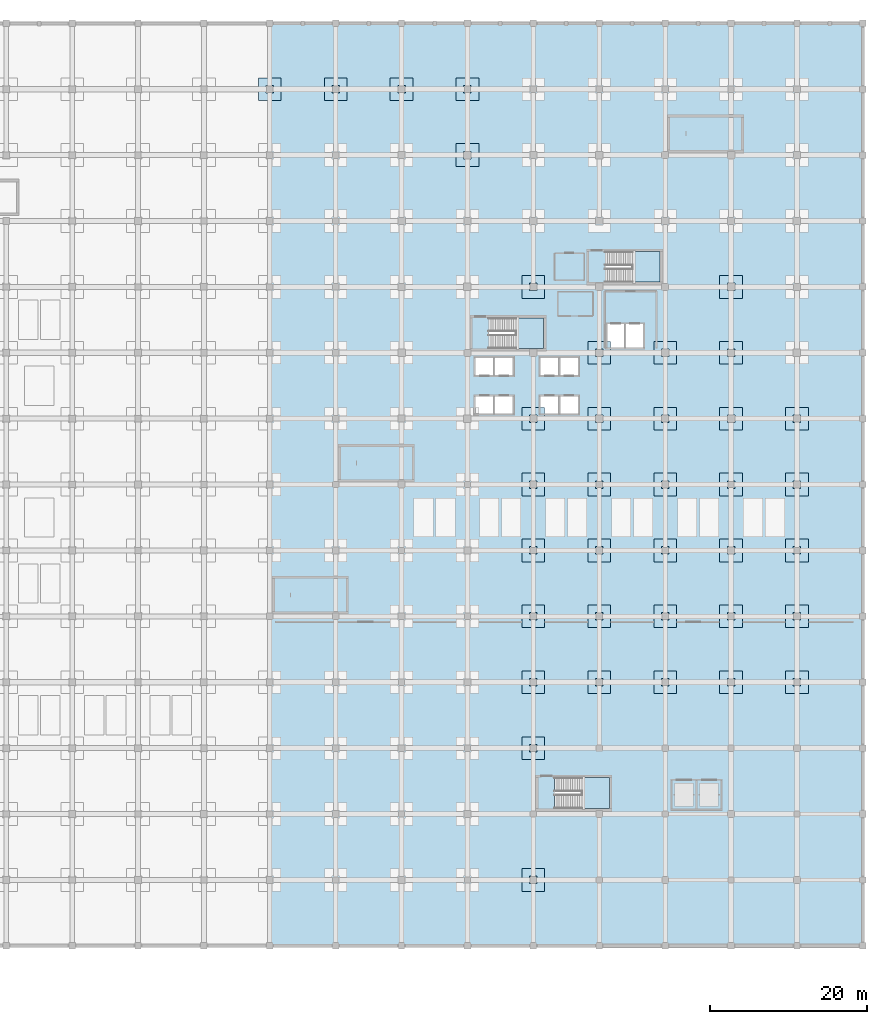
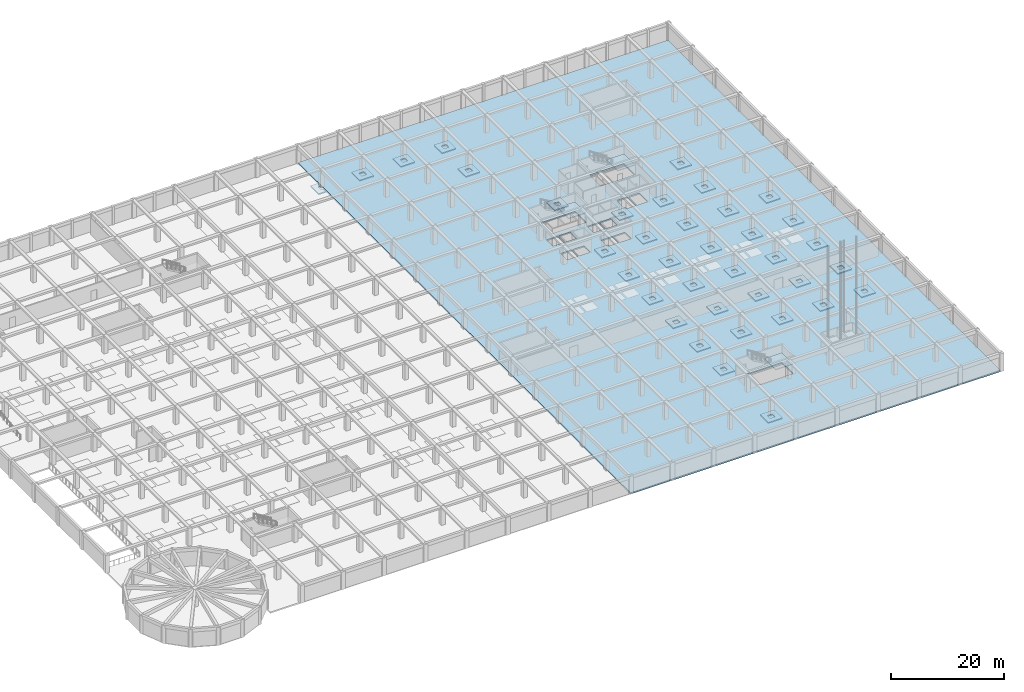
# One storey, part 13 of 32: 41 slabs, 3 elements without a shape of their own.
"""IFC4 building model written with IfcOpenShell, lengths in metres."""

from ifc_helpers import new_model, si_unit, direction, frame, origin, place, context, subcontext, project, spatial, polyline, outline, extrude, material, layer, layer_set, type_object, element, aggregate, save


model = new_model("IFC4")

# Units and contexts
model_context = context("Model", 3, precision=1e-05, world=origin(), true_north=direction((0.0, 1.0)))
body_context = subcontext(model_context, "Body", "Model", "MODEL_VIEW")
ifc_project = project(units=[si_unit("LENGTHUNIT", "METRE"), si_unit("AREAUNIT", "SQUARE_METRE"), si_unit("VOLUMEUNIT", "CUBIC_METRE"), si_unit("PLANEANGLEUNIT", "RADIAN"), si_unit("MASSUNIT", "GRAM", prefix="KILO")], contexts=[model_context])

# Site, building, storey
site_placement = place(None, origin())
site = spatial("IfcSite", under=ifc_project, at=site_placement, CompositionType="ELEMENT")
building_placement = place(site_placement, origin())
building = spatial("IfcBuilding", under=site, at=building_placement, Name="Almacenes y Pasaje Nevantli", CompositionType="ELEMENT")
storey_placement = place(building_placement, frame((0.0, 0.0, -4.199951171875)))
storey = spatial("IfcBuildingStorey", under=building, at=storey_placement, Name="B01", CompositionType="ELEMENT", Elevation=-4.199951171875)

# Slabs
ifc_material_1 = material(Name="Concrete C35/45", Category="concrete")
ifc_layer_1 = layer(ifc_material_1, 0.25)
ifc_layer_set_1 = layer_set([ifc_layer_1], Name="Concrete C35/45")
slab_type_1 = type_object("IfcSlabType", Name="SLB-DP-250", PredefinedType="USERDEFINED", material=ifc_layer_set_1)
slab_1_placement = place(storey_placement, frame((0.0, 0.0, -0.550048828125)))
element("IfcSlab", 1, at=slab_1_placement, inside=storey, type_object=slab_type_1, Name="B01 Punching-Shear Drop Panel DP-02 #117", ObjectType="DROP PANEL", PredefinedType="USERDEFINED", context=body_context, shape_type="SweptSolid", body=[
    extrude(outline(polyline([(90.949951171875, 107.75), (93.85009765625, 107.75), (93.85009765625, 110.64990234375), (90.949951171875, 110.64990234375), (90.949951171875, 107.75)]), holes=[polyline([(91.919921875, 108.719970703125), (92.8798828125, 108.719970703125), (92.8798828125, 109.679931640625), (91.919921875, 109.679931640625), (91.919921875, 108.719970703125)])]), origin(), (0.0, 0.0, 1.0), 0.25),
])
slab_2_placement = place(storey_placement, frame((0.0, 0.0, -0.550048828125)))
element("IfcSlab", 2, at=slab_2_placement, inside=storey, type_object=slab_type_1, Name="B01 Punching-Shear Drop Panel DP-02 #128", ObjectType="DROP PANEL", PredefinedType="USERDEFINED", context=body_context, shape_type="SweptSolid", body=[
    extrude(outline(polyline([(99.35009765625, 107.75), (102.25, 107.75), (102.25, 110.64990234375), (99.35009765625, 110.64990234375), (99.35009765625, 107.75)]), holes=[polyline([(100.320068359375, 108.719970703125), (101.280029296875, 108.719970703125), (101.280029296875, 109.679931640625), (100.320068359375, 109.679931640625), (100.320068359375, 108.719970703125)])]), origin(), (0.0, 0.0, 1.0), 0.25),
])
slab_3_placement = place(storey_placement, frame((0.0, 0.0, -0.550048828125)))
element("IfcSlab", 3, at=slab_3_placement, inside=storey, type_object=slab_type_1, Name="B01 Punching-Shear Drop Panel DP-02 #140", ObjectType="DROP PANEL", PredefinedType="USERDEFINED", context=body_context, shape_type="SweptSolid", body=[
    extrude(outline(polyline([(107.75, 107.75), (110.64990234375, 107.75), (110.64990234375, 110.64990234375), (107.75, 110.64990234375), (107.75, 107.75)]), holes=[polyline([(108.719970703125, 108.719970703125), (109.679931640625, 108.719970703125), (109.679931640625, 109.679931640625), (108.719970703125, 109.679931640625), (108.719970703125, 108.719970703125)])]), origin(), (0.0, 0.0, 1.0), 0.25),
])
slab_4_placement = place(storey_placement, frame((0.0, 0.0, -0.550048828125)))
element("IfcSlab", 4, at=slab_4_placement, inside=storey, type_object=slab_type_1, Name="B01 Punching-Shear Drop Panel DP-02 #151", ObjectType="DROP PANEL", PredefinedType="USERDEFINED", context=body_context, shape_type="SweptSolid", body=[
    extrude(outline(polyline([(116.14990234375, 99.35009765625), (119.050048828125, 99.35009765625), (119.050048828125, 102.25), (116.14990234375, 102.25), (116.14990234375, 99.35009765625)]), holes=[polyline([(117.1201171875, 100.320068359375), (118.080078125, 100.320068359375), (118.080078125, 101.280029296875), (117.1201171875, 101.280029296875), (117.1201171875, 100.320068359375)])]), origin(), (0.0, 0.0, 1.0), 0.25),
])
slab_5_placement = place(storey_placement, frame((0.0, 0.0, -0.550048828125)))
element("IfcSlab", 5, at=slab_5_placement, inside=storey, type_object=slab_type_1, Name="B01 Punching-Shear Drop Panel DP-02 #152", ObjectType="DROP PANEL", PredefinedType="USERDEFINED", context=body_context, shape_type="SweptSolid", body=[
    extrude(outline(polyline([(116.14990234375, 107.75), (119.050048828125, 107.75), (119.050048828125, 110.64990234375), (116.14990234375, 110.64990234375), (116.14990234375, 107.75)]), holes=[polyline([(117.1201171875, 108.719970703125), (118.080078125, 108.719970703125), (118.080078125, 109.679931640625), (117.1201171875, 109.679931640625), (117.1201171875, 108.719970703125)])]), origin(), (0.0, 0.0, 1.0), 0.25),
])
slab_6_placement = place(storey_placement, frame((0.0, 0.0, -0.550048828125)))
element("IfcSlab", 6, at=slab_6_placement, inside=storey, type_object=slab_type_1, Name="B01 Punching-Shear Drop Panel DP-02 #153", ObjectType="DROP PANEL", PredefinedType="USERDEFINED", context=body_context, shape_type="SweptSolid", body=[
    extrude(outline(polyline([(124.550048828125, 6.949951171875), (127.449951171875, 6.949951171875), (127.449951171875, 9.85009765625), (124.550048828125, 9.85009765625), (124.550048828125, 6.949951171875)]), holes=[polyline([(125.52001953125, 7.919921875), (126.47998046875, 7.919921875), (126.47998046875, 8.8798828125), (125.52001953125, 8.8798828125), (125.52001953125, 7.919921875)])]), origin(), (0.0, 0.0, 1.0), 0.25),
])
slab_7_placement = place(storey_placement, frame((0.0, 0.0, -0.550048828125)))
element("IfcSlab", 7, at=slab_7_placement, inside=storey, type_object=slab_type_1, Name="B01 Punching-Shear Drop Panel DP-02 #154", ObjectType="DROP PANEL", PredefinedType="USERDEFINED", context=body_context, shape_type="SweptSolid", body=[
    extrude(outline(polyline([(124.550048828125, 23.75), (127.449951171875, 23.75), (127.449951171875, 26.64990234375), (124.550048828125, 26.64990234375), (124.550048828125, 23.75)]), holes=[polyline([(125.52001953125, 24.719970703125), (126.47998046875, 24.719970703125), (126.47998046875, 25.679931640625), (125.52001953125, 25.679931640625), (125.52001953125, 24.719970703125)])]), origin(), (0.0, 0.0, 1.0), 0.25),
])
slab_8_placement = place(storey_placement, frame((0.0, 0.0, -0.550048828125)))
element("IfcSlab", 8, at=slab_8_placement, inside=storey, type_object=slab_type_1, Name="B01 Punching-Shear Drop Panel DP-02 #155", ObjectType="DROP PANEL", PredefinedType="USERDEFINED", context=body_context, shape_type="SweptSolid", body=[
    extrude(outline(polyline([(124.550048828125, 32.14990234375), (127.449951171875, 32.14990234375), (127.449951171875, 35.050048828125), (124.550048828125, 35.050048828125), (124.550048828125, 32.14990234375)]), holes=[polyline([(125.52001953125, 33.1201171875), (126.47998046875, 33.1201171875), (126.47998046875, 34.080078125), (125.52001953125, 34.080078125), (125.52001953125, 33.1201171875)])]), origin(), (0.0, 0.0, 1.0), 0.25),
])
slab_9_placement = place(storey_placement, frame((0.0, 0.0, -0.550048828125)))
element("IfcSlab", 9, at=slab_9_placement, inside=storey, type_object=slab_type_1, Name="B01 Punching-Shear Drop Panel DP-02 #156", ObjectType="DROP PANEL", PredefinedType="USERDEFINED", context=body_context, shape_type="SweptSolid", body=[
    extrude(outline(polyline([(124.550048828125, 40.550048828125), (127.449951171875, 40.550048828125), (127.449951171875, 43.449951171875), (124.550048828125, 43.449951171875), (124.550048828125, 40.550048828125)]), holes=[polyline([(125.52001953125, 41.52001953125), (126.47998046875, 41.52001953125), (126.47998046875, 42.47998046875), (125.52001953125, 42.47998046875), (125.52001953125, 41.52001953125)])]), origin(), (0.0, 0.0, 1.0), 0.25),
])
slab_10_placement = place(storey_placement, frame((0.0, 0.0, -0.550048828125)))
element("IfcSlab", 10, at=slab_10_placement, inside=storey, type_object=slab_type_1, Name="B01 Punching-Shear Drop Panel DP-02 #157", ObjectType="DROP PANEL", PredefinedType="USERDEFINED", context=body_context, shape_type="SweptSolid", body=[
    extrude(outline(polyline([(124.550048828125, 48.949951171875), (127.449951171875, 48.949951171875), (127.449951171875, 51.85009765625), (124.550048828125, 51.85009765625), (124.550048828125, 48.949951171875)]), holes=[polyline([(125.52001953125, 49.919921875), (126.47998046875, 49.919921875), (126.47998046875, 50.8798828125), (125.52001953125, 50.8798828125), (125.52001953125, 49.919921875)])]), origin(), (0.0, 0.0, 1.0), 0.25),
])
slab_11_placement = place(storey_placement, frame((0.0, 0.0, -0.550048828125)))
element("IfcSlab", 11, at=slab_11_placement, inside=storey, type_object=slab_type_1, Name="B01 Punching-Shear Drop Panel DP-02 #158", ObjectType="DROP PANEL", PredefinedType="USERDEFINED", context=body_context, shape_type="SweptSolid", body=[
    extrude(outline(polyline([(124.550048828125, 57.35009765625), (127.449951171875, 57.35009765625), (127.449951171875, 60.25), (124.550048828125, 60.25), (124.550048828125, 57.35009765625)]), holes=[polyline([(125.52001953125, 58.320068359375), (126.47998046875, 58.320068359375), (126.47998046875, 59.280029296875), (125.52001953125, 59.280029296875), (125.52001953125, 58.320068359375)])]), origin(), (0.0, 0.0, 1.0), 0.25),
])
slab_12_placement = place(storey_placement, frame((0.0, 0.0, -0.550048828125)))
element("IfcSlab", 12, at=slab_12_placement, inside=storey, type_object=slab_type_1, Name="B01 Punching-Shear Drop Panel DP-02 #159", ObjectType="DROP PANEL", PredefinedType="USERDEFINED", context=body_context, shape_type="SweptSolid", body=[
    extrude(outline(polyline([(124.550048828125, 65.75), (127.449951171875, 65.75), (127.449951171875, 68.64990234375), (124.550048828125, 68.64990234375), (124.550048828125, 65.75)]), holes=[polyline([(125.52001953125, 66.719970703125), (126.47998046875, 66.719970703125), (126.47998046875, 67.679931640625), (125.52001953125, 67.679931640625), (125.52001953125, 66.719970703125)])]), origin(), (0.0, 0.0, 1.0), 0.25),
])
slab_13_placement = place(storey_placement, frame((0.0, 0.0, -0.550048828125)))
element("IfcSlab", 13, at=slab_13_placement, inside=storey, type_object=slab_type_1, Name="B01 Punching-Shear Drop Panel DP-02 #160", ObjectType="DROP PANEL", PredefinedType="USERDEFINED", context=body_context, shape_type="SweptSolid", body=[
    extrude(outline(polyline([(124.550048828125, 82.550048828125), (127.449951171875, 82.550048828125), (127.449951171875, 85.449951171875), (124.550048828125, 85.449951171875), (124.550048828125, 82.550048828125)]), holes=[polyline([(125.52001953125, 83.52001953125), (126.47998046875, 83.52001953125), (126.47998046875, 84.47998046875), (125.52001953125, 84.47998046875), (125.52001953125, 83.52001953125)])]), origin(), (0.0, 0.0, 1.0), 0.25),
])
slab_14_placement = place(storey_placement, frame((0.0, 0.0, -0.550048828125)))
element("IfcSlab", 14, at=slab_14_placement, inside=storey, type_object=slab_type_1, Name="B01 Punching-Shear Drop Panel DP-02 #164", ObjectType="DROP PANEL", PredefinedType="USERDEFINED", context=body_context, shape_type="SweptSolid", body=[
    extrude(outline(polyline([(132.949951171875, 32.14990234375), (135.85009765625, 32.14990234375), (135.85009765625, 35.050048828125), (132.949951171875, 35.050048828125), (132.949951171875, 32.14990234375)]), holes=[polyline([(133.919921875, 33.1201171875), (134.8798828125, 33.1201171875), (134.8798828125, 34.080078125), (133.919921875, 34.080078125), (133.919921875, 33.1201171875)])]), origin(), (0.0, 0.0, 1.0), 0.25),
])
slab_15_placement = place(storey_placement, frame((0.0, 0.0, -0.550048828125)))
element("IfcSlab", 15, at=slab_15_placement, inside=storey, type_object=slab_type_1, Name="B01 Punching-Shear Drop Panel DP-02 #165", ObjectType="DROP PANEL", PredefinedType="USERDEFINED", context=body_context, shape_type="SweptSolid", body=[
    extrude(outline(polyline([(132.949951171875, 40.550048828125), (135.85009765625, 40.550048828125), (135.85009765625, 43.449951171875), (132.949951171875, 43.449951171875), (132.949951171875, 40.550048828125)]), holes=[polyline([(133.919921875, 41.52001953125), (134.8798828125, 41.52001953125), (134.8798828125, 42.47998046875), (133.919921875, 42.47998046875), (133.919921875, 41.52001953125)])]), origin(), (0.0, 0.0, 1.0), 0.25),
])
slab_16_placement = place(storey_placement, frame((0.0, 0.0, -0.550048828125)))
element("IfcSlab", 16, at=slab_16_placement, inside=storey, type_object=slab_type_1, Name="B01 Punching-Shear Drop Panel DP-02 #166", ObjectType="DROP PANEL", PredefinedType="USERDEFINED", context=body_context, shape_type="SweptSolid", body=[
    extrude(outline(polyline([(132.949951171875, 48.949951171875), (135.85009765625, 48.949951171875), (135.85009765625, 51.85009765625), (132.949951171875, 51.85009765625), (132.949951171875, 48.949951171875)]), holes=[polyline([(133.919921875, 49.919921875), (134.8798828125, 49.919921875), (134.8798828125, 50.8798828125), (133.919921875, 50.8798828125), (133.919921875, 49.919921875)])]), origin(), (0.0, 0.0, 1.0), 0.25),
])
slab_17_placement = place(storey_placement, frame((0.0, 0.0, -0.550048828125)))
element("IfcSlab", 17, at=slab_17_placement, inside=storey, type_object=slab_type_1, Name="B01 Punching-Shear Drop Panel DP-02 #167", ObjectType="DROP PANEL", PredefinedType="USERDEFINED", context=body_context, shape_type="SweptSolid", body=[
    extrude(outline(polyline([(132.949951171875, 57.35009765625), (135.85009765625, 57.35009765625), (135.85009765625, 60.25), (132.949951171875, 60.25), (132.949951171875, 57.35009765625)]), holes=[polyline([(133.919921875, 58.320068359375), (134.8798828125, 58.320068359375), (134.8798828125, 59.280029296875), (133.919921875, 59.280029296875), (133.919921875, 58.320068359375)])]), origin(), (0.0, 0.0, 1.0), 0.25),
])
slab_18_placement = place(storey_placement, frame((0.0, 0.0, -0.550048828125)))
element("IfcSlab", 18, at=slab_18_placement, inside=storey, type_object=slab_type_1, Name="B01 Punching-Shear Drop Panel DP-02 #168", ObjectType="DROP PANEL", PredefinedType="USERDEFINED", context=body_context, shape_type="SweptSolid", body=[
    extrude(outline(polyline([(132.949951171875, 65.75), (135.85009765625, 65.75), (135.85009765625, 68.64990234375), (132.949951171875, 68.64990234375), (132.949951171875, 65.75)]), holes=[polyline([(133.919921875, 66.719970703125), (134.8798828125, 66.719970703125), (134.8798828125, 67.679931640625), (133.919921875, 67.679931640625), (133.919921875, 66.719970703125)])]), origin(), (0.0, 0.0, 1.0), 0.25),
])
slab_19_placement = place(storey_placement, frame((0.0, 0.0, -0.550048828125)))
element("IfcSlab", 19, at=slab_19_placement, inside=storey, type_object=slab_type_1, Name="B01 Punching-Shear Drop Panel DP-02 #169", ObjectType="DROP PANEL", PredefinedType="USERDEFINED", context=body_context, shape_type="SweptSolid", body=[
    extrude(outline(polyline([(132.949951171875, 74.14990234375), (135.85009765625, 74.14990234375), (135.85009765625, 77.050048828125), (132.949951171875, 77.050048828125), (132.949951171875, 74.14990234375)]), holes=[polyline([(133.919921875, 75.1201171875), (134.8798828125, 75.1201171875), (134.8798828125, 76.080078125), (133.919921875, 76.080078125), (133.919921875, 75.1201171875)])]), origin(), (0.0, 0.0, 1.0), 0.25),
])
slab_20_placement = place(storey_placement, frame((0.0, 0.0, -0.550048828125)))
element("IfcSlab", 20, at=slab_20_placement, inside=storey, type_object=slab_type_1, Name="B01 Punching-Shear Drop Panel DP-02 #173", ObjectType="DROP PANEL", PredefinedType="USERDEFINED", context=body_context, shape_type="SweptSolid", body=[
    extrude(outline(polyline([(141.35009765625, 32.14990234375), (144.25, 32.14990234375), (144.25, 35.050048828125), (141.35009765625, 35.050048828125), (141.35009765625, 32.14990234375)]), holes=[polyline([(142.320068359375, 33.1201171875), (143.280029296875, 33.1201171875), (143.280029296875, 34.080078125), (142.320068359375, 34.080078125), (142.320068359375, 33.1201171875)])]), origin(), (0.0, 0.0, 1.0), 0.25),
])
slab_21_placement = place(storey_placement, frame((0.0, 0.0, -0.550048828125)))
element("IfcSlab", 21, at=slab_21_placement, inside=storey, type_object=slab_type_1, Name="B01 Punching-Shear Drop Panel DP-02 #174", ObjectType="DROP PANEL", PredefinedType="USERDEFINED", context=body_context, shape_type="SweptSolid", body=[
    extrude(outline(polyline([(141.35009765625, 40.550048828125), (144.25, 40.550048828125), (144.25, 43.449951171875), (141.35009765625, 43.449951171875), (141.35009765625, 40.550048828125)]), holes=[polyline([(142.320068359375, 41.52001953125), (143.280029296875, 41.52001953125), (143.280029296875, 42.47998046875), (142.320068359375, 42.47998046875), (142.320068359375, 41.52001953125)])]), origin(), (0.0, 0.0, 1.0), 0.25),
])
slab_22_placement = place(storey_placement, frame((0.0, 0.0, -0.550048828125)))
element("IfcSlab", 22, at=slab_22_placement, inside=storey, type_object=slab_type_1, Name="B01 Punching-Shear Drop Panel DP-02 #175", ObjectType="DROP PANEL", PredefinedType="USERDEFINED", context=body_context, shape_type="SweptSolid", body=[
    extrude(outline(polyline([(141.35009765625, 48.949951171875), (144.25, 48.949951171875), (144.25, 51.85009765625), (141.35009765625, 51.85009765625), (141.35009765625, 48.949951171875)]), holes=[polyline([(142.320068359375, 49.919921875), (143.280029296875, 49.919921875), (143.280029296875, 50.8798828125), (142.320068359375, 50.8798828125), (142.320068359375, 49.919921875)])]), origin(), (0.0, 0.0, 1.0), 0.25),
])
slab_23_placement = place(storey_placement, frame((0.0, 0.0, -0.550048828125)))
element("IfcSlab", 23, at=slab_23_placement, inside=storey, type_object=slab_type_1, Name="B01 Punching-Shear Drop Panel DP-02 #176", ObjectType="DROP PANEL", PredefinedType="USERDEFINED", context=body_context, shape_type="SweptSolid", body=[
    extrude(outline(polyline([(141.35009765625, 57.35009765625), (144.25, 57.35009765625), (144.25, 60.25), (141.35009765625, 60.25), (141.35009765625, 57.35009765625)]), holes=[polyline([(142.320068359375, 58.320068359375), (143.280029296875, 58.320068359375), (143.280029296875, 59.280029296875), (142.320068359375, 59.280029296875), (142.320068359375, 58.320068359375)])]), origin(), (0.0, 0.0, 1.0), 0.25),
])
slab_24_placement = place(storey_placement, frame((0.0, 0.0, -0.550048828125)))
element("IfcSlab", 24, at=slab_24_placement, inside=storey, type_object=slab_type_1, Name="B01 Punching-Shear Drop Panel DP-02 #177", ObjectType="DROP PANEL", PredefinedType="USERDEFINED", context=body_context, shape_type="SweptSolid", body=[
    extrude(outline(polyline([(141.35009765625, 65.75), (144.25, 65.75), (144.25, 68.64990234375), (141.35009765625, 68.64990234375), (141.35009765625, 65.75)]), holes=[polyline([(142.320068359375, 66.719970703125), (143.280029296875, 66.719970703125), (143.280029296875, 67.679931640625), (142.320068359375, 67.679931640625), (142.320068359375, 66.719970703125)])]), origin(), (0.0, 0.0, 1.0), 0.25),
])
slab_25_placement = place(storey_placement, frame((0.0, 0.0, -0.550048828125)))
element("IfcSlab", 25, at=slab_25_placement, inside=storey, type_object=slab_type_1, Name="B01 Punching-Shear Drop Panel DP-02 #178", ObjectType="DROP PANEL", PredefinedType="USERDEFINED", context=body_context, shape_type="SweptSolid", body=[
    extrude(outline(polyline([(141.35009765625, 74.14990234375), (144.25, 74.14990234375), (144.25, 77.050048828125), (141.35009765625, 77.050048828125), (141.35009765625, 74.14990234375)]), holes=[polyline([(142.320068359375, 75.1201171875), (143.280029296875, 75.1201171875), (143.280029296875, 76.080078125), (142.320068359375, 76.080078125), (142.320068359375, 75.1201171875)])]), origin(), (0.0, 0.0, 1.0), 0.25),
])
slab_26_placement = place(storey_placement, frame((0.0, 0.0, -0.550048828125)))
element("IfcSlab", 26, at=slab_26_placement, inside=storey, type_object=slab_type_1, Name="B01 Punching-Shear Drop Panel DP-02 #181", ObjectType="DROP PANEL", PredefinedType="USERDEFINED", context=body_context, shape_type="SweptSolid", body=[
    extrude(outline(polyline([(149.75, 32.14990234375), (152.64990234375, 32.14990234375), (152.64990234375, 35.050048828125), (149.75, 35.050048828125), (149.75, 32.14990234375)]), holes=[polyline([(150.719970703125, 33.1201171875), (151.679931640625, 33.1201171875), (151.679931640625, 34.080078125), (150.719970703125, 34.080078125), (150.719970703125, 33.1201171875)])]), origin(), (0.0, 0.0, 1.0), 0.25),
])
slab_27_placement = place(storey_placement, frame((0.0, 0.0, -0.550048828125)))
element("IfcSlab", 27, at=slab_27_placement, inside=storey, type_object=slab_type_1, Name="B01 Punching-Shear Drop Panel DP-02 #182", ObjectType="DROP PANEL", PredefinedType="USERDEFINED", context=body_context, shape_type="SweptSolid", body=[
    extrude(outline(polyline([(149.75, 40.550048828125), (152.64990234375, 40.550048828125), (152.64990234375, 43.449951171875), (149.75, 43.449951171875), (149.75, 40.550048828125)]), holes=[polyline([(150.719970703125, 41.52001953125), (151.679931640625, 41.52001953125), (151.679931640625, 42.47998046875), (150.719970703125, 42.47998046875), (150.719970703125, 41.52001953125)])]), origin(), (0.0, 0.0, 1.0), 0.25),
])
slab_28_placement = place(storey_placement, frame((0.0, 0.0, -0.550048828125)))
element("IfcSlab", 28, at=slab_28_placement, inside=storey, type_object=slab_type_1, Name="B01 Punching-Shear Drop Panel DP-02 #183", ObjectType="DROP PANEL", PredefinedType="USERDEFINED", context=body_context, shape_type="SweptSolid", body=[
    extrude(outline(polyline([(149.75, 48.949951171875), (152.64990234375, 48.949951171875), (152.64990234375, 51.85009765625), (149.75, 51.85009765625), (149.75, 48.949951171875)]), holes=[polyline([(150.719970703125, 49.919921875), (151.679931640625, 49.919921875), (151.679931640625, 50.8798828125), (150.719970703125, 50.8798828125), (150.719970703125, 49.919921875)])]), origin(), (0.0, 0.0, 1.0), 0.25),
])
slab_29_placement = place(storey_placement, frame((0.0, 0.0, -0.550048828125)))
element("IfcSlab", 29, at=slab_29_placement, inside=storey, type_object=slab_type_1, Name="B01 Punching-Shear Drop Panel DP-02 #184", ObjectType="DROP PANEL", PredefinedType="USERDEFINED", context=body_context, shape_type="SweptSolid", body=[
    extrude(outline(polyline([(149.75, 57.35009765625), (152.64990234375, 57.35009765625), (152.64990234375, 60.25), (149.75, 60.25), (149.75, 57.35009765625)]), holes=[polyline([(150.719970703125, 58.320068359375), (151.679931640625, 58.320068359375), (151.679931640625, 59.280029296875), (150.719970703125, 59.280029296875), (150.719970703125, 58.320068359375)])]), origin(), (0.0, 0.0, 1.0), 0.25),
])
slab_30_placement = place(storey_placement, frame((0.0, 0.0, -0.550048828125)))
element("IfcSlab", 30, at=slab_30_placement, inside=storey, type_object=slab_type_1, Name="B01 Punching-Shear Drop Panel DP-02 #185", ObjectType="DROP PANEL", PredefinedType="USERDEFINED", context=body_context, shape_type="SweptSolid", body=[
    extrude(outline(polyline([(149.75, 65.75), (152.64990234375, 65.75), (152.64990234375, 68.64990234375), (149.75, 68.64990234375), (149.75, 65.75)]), holes=[polyline([(150.719970703125, 66.719970703125), (151.679931640625, 66.719970703125), (151.679931640625, 67.679931640625), (150.719970703125, 67.679931640625), (150.719970703125, 66.719970703125)])]), origin(), (0.0, 0.0, 1.0), 0.25),
])
slab_31_placement = place(storey_placement, frame((0.0, 0.0, -0.550048828125)))
element("IfcSlab", 31, at=slab_31_placement, inside=storey, type_object=slab_type_1, Name="B01 Punching-Shear Drop Panel DP-02 #186", ObjectType="DROP PANEL", PredefinedType="USERDEFINED", context=body_context, shape_type="SweptSolid", body=[
    extrude(outline(polyline([(149.75, 74.14990234375), (152.64990234375, 74.14990234375), (152.64990234375, 77.050048828125), (149.75, 77.050048828125), (149.75, 74.14990234375)]), holes=[polyline([(150.719970703125, 75.1201171875), (151.679931640625, 75.1201171875), (151.679931640625, 76.080078125), (150.719970703125, 76.080078125), (150.719970703125, 75.1201171875)])]), origin(), (0.0, 0.0, 1.0), 0.25),
])
slab_32_placement = place(storey_placement, frame((0.0, 0.0, -0.550048828125)))
element("IfcSlab", 32, at=slab_32_placement, inside=storey, type_object=slab_type_1, Name="B01 Punching-Shear Drop Panel DP-02 #187", ObjectType="DROP PANEL", PredefinedType="USERDEFINED", context=body_context, shape_type="SweptSolid", body=[
    extrude(outline(polyline([(149.75, 82.550048828125), (152.64990234375, 82.550048828125), (152.64990234375, 85.449951171875), (149.75, 85.449951171875), (149.75, 82.550048828125)]), holes=[polyline([(150.719970703125, 83.52001953125), (151.679931640625, 83.52001953125), (151.679931640625, 84.47998046875), (150.719970703125, 84.47998046875), (150.719970703125, 83.52001953125)])]), origin(), (0.0, 0.0, 1.0), 0.25),
])
slab_33_placement = place(storey_placement, frame((0.0, 0.0, -0.550048828125)))
element("IfcSlab", 33, at=slab_33_placement, inside=storey, type_object=slab_type_1, Name="B01 Punching-Shear Drop Panel DP-02 #190", ObjectType="DROP PANEL", PredefinedType="USERDEFINED", context=body_context, shape_type="SweptSolid", body=[
    extrude(outline(polyline([(158.14990234375, 32.14990234375), (161.050048828125, 32.14990234375), (161.050048828125, 35.050048828125), (158.14990234375, 35.050048828125), (158.14990234375, 32.14990234375)]), holes=[polyline([(159.1201171875, 33.1201171875), (160.080078125, 33.1201171875), (160.080078125, 34.080078125), (159.1201171875, 34.080078125), (159.1201171875, 33.1201171875)])]), origin(), (0.0, 0.0, 1.0), 0.25),
])
slab_34_placement = place(storey_placement, frame((0.0, 0.0, -0.550048828125)))
element("IfcSlab", 34, at=slab_34_placement, inside=storey, type_object=slab_type_1, Name="B01 Punching-Shear Drop Panel DP-02 #191", ObjectType="DROP PANEL", PredefinedType="USERDEFINED", context=body_context, shape_type="SweptSolid", body=[
    extrude(outline(polyline([(158.14990234375, 40.550048828125), (161.050048828125, 40.550048828125), (161.050048828125, 43.449951171875), (158.14990234375, 43.449951171875), (158.14990234375, 40.550048828125)]), holes=[polyline([(159.1201171875, 41.52001953125), (160.080078125, 41.52001953125), (160.080078125, 42.47998046875), (159.1201171875, 42.47998046875), (159.1201171875, 41.52001953125)])]), origin(), (0.0, 0.0, 1.0), 0.25),
])
slab_35_placement = place(storey_placement, frame((0.0, 0.0, -0.550048828125)))
element("IfcSlab", 35, at=slab_35_placement, inside=storey, type_object=slab_type_1, Name="B01 Punching-Shear Drop Panel DP-02 #192", ObjectType="DROP PANEL", PredefinedType="USERDEFINED", context=body_context, shape_type="SweptSolid", body=[
    extrude(outline(polyline([(158.14990234375, 48.949951171875), (161.050048828125, 48.949951171875), (161.050048828125, 51.85009765625), (158.14990234375, 51.85009765625), (158.14990234375, 48.949951171875)]), holes=[polyline([(159.1201171875, 49.919921875), (160.080078125, 49.919921875), (160.080078125, 50.8798828125), (159.1201171875, 50.8798828125), (159.1201171875, 49.919921875)])]), origin(), (0.0, 0.0, 1.0), 0.25),
])
slab_36_placement = place(storey_placement, frame((0.0, 0.0, -0.550048828125)))
element("IfcSlab", 36, at=slab_36_placement, inside=storey, type_object=slab_type_1, Name="B01 Punching-Shear Drop Panel DP-02 #193", ObjectType="DROP PANEL", PredefinedType="USERDEFINED", context=body_context, shape_type="SweptSolid", body=[
    extrude(outline(polyline([(158.14990234375, 57.35009765625), (161.050048828125, 57.35009765625), (161.050048828125, 60.25), (158.14990234375, 60.25), (158.14990234375, 57.35009765625)]), holes=[polyline([(159.1201171875, 58.320068359375), (160.080078125, 58.320068359375), (160.080078125, 59.280029296875), (159.1201171875, 59.280029296875), (159.1201171875, 58.320068359375)])]), origin(), (0.0, 0.0, 1.0), 0.25),
])
slab_37_placement = place(storey_placement, frame((0.0, 0.0, -0.550048828125)))
element("IfcSlab", 37, at=slab_37_placement, inside=storey, type_object=slab_type_1, Name="B01 Punching-Shear Drop Panel DP-02 #194", ObjectType="DROP PANEL", PredefinedType="USERDEFINED", context=body_context, shape_type="SweptSolid", body=[
    extrude(outline(polyline([(158.14990234375, 65.75), (161.050048828125, 65.75), (161.050048828125, 68.64990234375), (158.14990234375, 68.64990234375), (158.14990234375, 65.75)]), holes=[polyline([(159.1201171875, 66.719970703125), (160.080078125, 66.719970703125), (160.080078125, 67.679931640625), (159.1201171875, 67.679931640625), (159.1201171875, 66.719970703125)])]), origin(), (0.0, 0.0, 1.0), 0.25),
])
ifc_material_2 = material(Name="Concrete C35/45", Category="concrete")
ifc_layer_2 = layer(ifc_material_2, 0.300048828125)
ifc_layer_set_2 = layer_set([ifc_layer_2], Name="Concrete C35/45")
slab_type_2 = type_object("IfcSlabType", Name="SLB-FLR-300", PredefinedType="FLOOR", material=ifc_layer_set_2)
slab_38_placement = place(storey_placement, frame((0.0, 0.0, -0.300048828125)))
element("IfcSlab", 38, at=slab_38_placement, inside=storey, type_object=slab_type_2, Name="B01 East Podium Retail and Tower Core Slab", PredefinedType="FLOOR", context=body_context, shape_type="SweptSolid", body=[
    extrude(outline(polyline([(92.39990234375, 0.0), (168.0, 0.0), (168.0, 117.60009765625), (92.39990234375, 117.60009765625), (92.39990234375, 0.0)]), holes=[polyline([(120.31494140625, 76.14990234375), (127.300048828125, 76.14990234375), (127.300048828125, 80.0400390625), (120.31494140625, 80.0400390625), (120.31494140625, 76.14990234375)]), polyline([(135.1650390625, 84.60009765625), (142.14990234375, 84.60009765625), (142.14990234375, 88.489990234375), (135.1650390625, 88.489990234375), (135.1650390625, 84.60009765625)]), polyline([(128.715087890625, 17.5), (135.699951171875, 17.5), (135.699951171875, 21.449951171875), (128.715087890625, 21.449951171875), (128.715087890625, 17.5)]), polyline([(126.89990234375, 67.85009765625), (129.199951171875, 67.85009765625), (129.199951171875, 70.050048828125), (126.89990234375, 70.050048828125), (126.89990234375, 67.85009765625)]), polyline([(129.39990234375, 67.85009765625), (131.699951171875, 67.85009765625), (131.699951171875, 70.050048828125), (129.39990234375, 70.050048828125), (129.39990234375, 67.85009765625)]), polyline([(126.89990234375, 72.75), (129.199951171875, 72.75), (129.199951171875, 74.949951171875), (126.89990234375, 74.949951171875), (126.89990234375, 72.75)]), polyline([(129.39990234375, 72.75), (131.699951171875, 72.75), (131.699951171875, 74.949951171875), (129.39990234375, 74.949951171875), (129.39990234375, 72.75)]), polyline([(118.60009765625, 67.85009765625), (120.89990234375, 67.85009765625), (120.89990234375, 70.050048828125), (118.60009765625, 70.050048828125), (118.60009765625, 67.85009765625)]), polyline([(121.10009765625, 67.85009765625), (123.39990234375, 67.85009765625), (123.39990234375, 70.050048828125), (121.10009765625, 70.050048828125), (121.10009765625, 67.85009765625)]), polyline([(118.60009765625, 72.75), (120.89990234375, 72.75), (120.89990234375, 74.949951171875), (118.60009765625, 74.949951171875), (118.60009765625, 72.75)]), polyline([(121.10009765625, 72.75), (123.39990234375, 72.75), (123.39990234375, 74.949951171875), (121.10009765625, 74.949951171875), (121.10009765625, 72.75)]), polyline([(135.39990234375, 76.25), (137.60009765625, 76.25), (137.60009765625, 79.25), (135.39990234375, 79.25), (135.39990234375, 76.25)]), polyline([(137.800048828125, 76.25), (140.0, 76.25), (140.0, 79.25), (137.800048828125, 79.25), (137.800048828125, 76.25)])]), origin(), (0.0, 0.0, 1.0), 0.300048828125),
])

# Stair, slab
ifc_material_3 = material(Name="Concrete C35/45", Category="concrete")
stair_type_1 = type_object("IfcStairType", Name="STR-CORE-1720", PredefinedType="HALF_TURN_STAIR", material=ifc_material_3)
stair_1_placement = place(storey_placement, origin())
stair_1 = element("IfcStair", 39, at=stair_1_placement, inside=storey, type_object=stair_type_1, Name="B01 Staircase ST-01", PredefinedType="HALF_TURN_STAIR")
ifc_material_4 = material(Name="Concrete C35/45", Category="concrete")
ifc_layer_3 = layer(ifc_material_4, 0.199951171875)
ifc_layer_set_3 = layer_set([ifc_layer_3], Name="Concrete C35/45")
slab_type_3 = type_object("IfcSlabType", Name="SLB-LAND-200", PredefinedType="LANDING", material=ifc_layer_set_3)
slab_39_placement = place(storey_placement, frame((0.0, 0.0, 1.89990234375)))
slab_39 = element("IfcSlab", 40, at=slab_39_placement, type_object=slab_type_3, Name="ST-01-B01 landing 1", PredefinedType="LANDING", context=body_context, shape_type="SweptSolid", body=[
    extrude(outline(polyline([(123.764892578125, 76.14990234375), (127.300048828125, 76.14990234375), (127.300048828125, 80.0400390625), (123.764892578125, 80.0400390625), (123.764892578125, 76.14990234375)])), origin(), (0.0, 0.0, 1.0), 0.199951171875),
])
aggregate(stair_1, [slab_39])

stair_2_placement = place(storey_placement, origin())
stair_2 = element("IfcStair", 41, at=stair_2_placement, inside=storey, type_object=stair_type_1, Name="B01 Staircase ST-02", PredefinedType="HALF_TURN_STAIR")
slab_40_placement = place(storey_placement, frame((0.0, 0.0, 1.89990234375)))
slab_40 = element("IfcSlab", 42, at=slab_40_placement, type_object=slab_type_3, Name="ST-02-B01 landing 1", PredefinedType="LANDING", context=body_context, shape_type="SweptSolid", body=[
    extrude(outline(polyline([(138.614990234375, 84.60009765625), (142.14990234375, 84.60009765625), (142.14990234375, 88.489990234375), (138.614990234375, 88.489990234375), (138.614990234375, 84.60009765625)])), origin(), (0.0, 0.0, 1.0), 0.199951171875),
])
aggregate(stair_2, [slab_40])

ifc_material_5 = material(Name="Concrete C35/45", Category="concrete")
stair_type_2 = type_object("IfcStairType", Name="STR-CORE-1750", PredefinedType="HALF_TURN_STAIR", material=ifc_material_5)
stair_3_placement = place(storey_placement, origin())
stair_3 = element("IfcStair", 43, at=stair_3_placement, inside=storey, type_object=stair_type_2, Name="B01 Staircase ST-06", PredefinedType="HALF_TURN_STAIR")
slab_41_placement = place(storey_placement, frame((0.0, 0.0, 1.89990234375)))
slab_41 = element("IfcSlab", 44, at=slab_41_placement, type_object=slab_type_3, Name="ST-06-B01 landing 1", PredefinedType="LANDING", context=body_context, shape_type="SweptSolid", body=[
    extrude(outline(polyline([(132.1650390625, 17.5), (135.699951171875, 17.5), (135.699951171875, 21.449951171875), (132.1650390625, 21.449951171875), (132.1650390625, 17.5)])), origin(), (0.0, 0.0, 1.0), 0.199951171875),
])
aggregate(stair_3, [slab_41])

save(model, "model.ifc")
